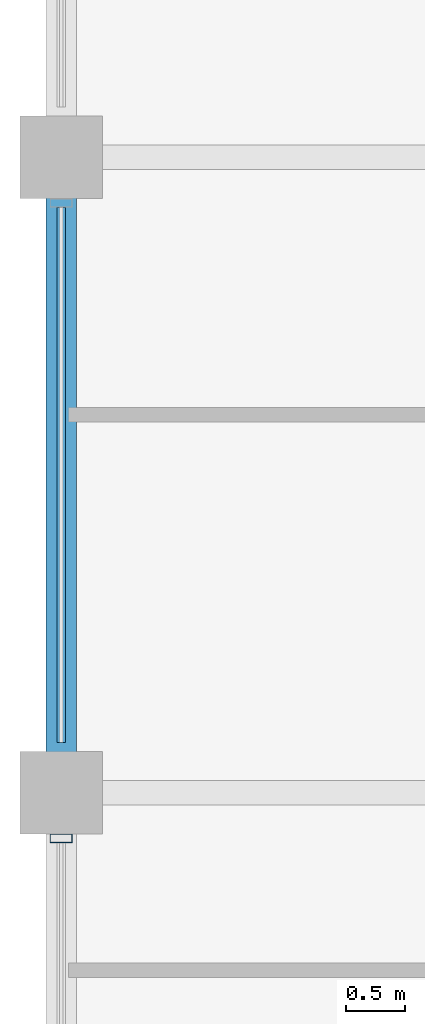
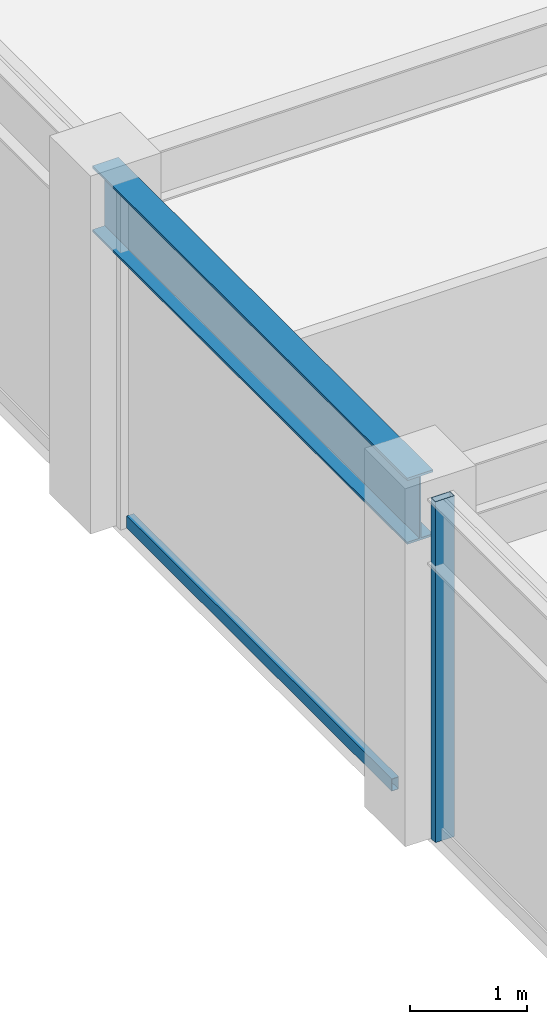
# One storey, part 10 of 31: 2 members, 1 beam, 1 element without a shape of its own.
"""IFC4 building model written with IfcOpenShell, lengths in metres."""

import ifcopenshell
import ifcopenshell.guid

model = None  # the IFC model being written
_history = None  # IfcOwnerHistory: only IFC2X3 demands one
_inside = {}  # id of a spatial element -> (the spatial element, [elements in it])
_under = {}  # id of a project, library or spatial element -> (it, [spatial elements below it])
_declared = {}  # id of a project -> (the project, [libraries it declares])
_typed = {}  # id of a type object -> (the type object, [elements of that type])
_made_of = {}  # id of a material, layer set ... -> (it, [elements and type objects made of it])


def new_model(schema):
    """Start an empty IFC model of exactly this schema.

    Asked for "IFC4X3", IfcOpenShell would pick the latest addendum, in which some entities
    have other attributes; the version numbers below select the first issue.
    IFC2X3 requires an IfcOwnerHistory on every rooted entity: one is made here for all.
    """
    global model, _history
    if schema == "IFC4X3":
        model = ifcopenshell.file(schema_version=(4, 3, 0, 0))
    else:
        model = ifcopenshell.file(schema=schema)
    _inside.clear()
    _under.clear()
    _declared.clear()
    _typed.clear()
    _made_of.clear()
    _history = None
    if model.schema == "IFC2X3":
        org = make("IfcOrganization", Name="unknown")
        user = make(
            "IfcPersonAndOrganization",
            ThePerson=make("IfcPerson", FamilyName="unknown"),
            TheOrganization=org,
        )
        app = make(
            "IfcApplication",
            ApplicationDeveloper=org,
            Version="unknown",
            ApplicationFullName="unknown",
            ApplicationIdentifier="unknown",
        )
        _history = make(
            "IfcOwnerHistory",
            OwningUser=user,
            OwningApplication=app,
            ChangeAction="ADDED",
            CreationDate=0,
        )
    return model


def make(cls, **values):
    """One entity of the class cls with the attributes given. An attribute that is None is left unset."""
    return model.create_entity(
        cls, **{name: value for name, value in values.items() if value is not None}
    )


def rooted(cls, **values):
    """An entity with a GlobalId (a new one), such as an element, a storey or a relation."""
    return make(cls, GlobalId=ifcopenshell.guid.new(), OwnerHistory=_history, **values)


def si_unit(unit_type, name, prefix=None):
    """IfcSIUnit, for example si_unit("LENGTHUNIT", "METRE", prefix="MILLI")."""
    return make("IfcSIUnit", UnitType=unit_type, Prefix=prefix, Name=name)


def assignment(units):
    """IfcUnitAssignment: the units of a project."""
    return None if units is None else make("IfcUnitAssignment", Units=units)


def point(xyz):
    """IfcCartesianPoint."""
    return None if xyz is None else make("IfcCartesianPoint", Coordinates=xyz)


def direction(xyz):
    """IfcDirection."""
    return None if xyz is None else make("IfcDirection", DirectionRatios=xyz)


def frame(location, z_axis=None, x_axis=None):
    """IfcAxis2Placement3D, a coordinate frame: its origin and axes. An axis left out is left unset."""
    return make(
        "IfcAxis2Placement3D",
        Location=point(location),
        Axis=direction(z_axis),
        RefDirection=direction(x_axis),
    )


def frame_2d(location, x_axis=None):
    """IfcAxis2Placement2D, a coordinate frame in the plane: its origin and x axis."""
    return make(
        "IfcAxis2Placement2D", Location=point(location), RefDirection=direction(x_axis)
    )


def origin():
    """The frame at (0, 0, 0) with its axes left unset."""
    return frame((0.0, 0.0, 0.0))


def origin_2d():
    """The frame at (0, 0) in the plane with its x axis left unset."""
    return frame_2d((0.0, 0.0))


def place(relative_to, where):
    """IfcLocalPlacement: puts the frame where relative to a parent placement (None: the world)."""
    return make(
        "IfcLocalPlacement", PlacementRelTo=relative_to, RelativePlacement=where
    )


def context(
    kind, dimensions, precision=None, world=None, true_north=None, identifier=None
):
    """IfcGeometricRepresentationContext, for example the 3D "Model" context."""
    return make(
        "IfcGeometricRepresentationContext",
        ContextIdentifier=identifier,
        ContextType=kind,
        CoordinateSpaceDimension=dimensions,
        Precision=precision,
        WorldCoordinateSystem=world,
        TrueNorth=true_north,
    )


def subcontext(parent, identifier, kind, view, scale=None):
    """IfcGeometricRepresentationSubContext, for example "Body" below "Model"."""
    return make(
        "IfcGeometricRepresentationSubContext",
        ContextIdentifier=identifier,
        ContextType=kind,
        ParentContext=parent,
        TargetScale=scale,
        TargetView=view,
    )


def project(units=None, contexts=None):
    """IfcProject with its units and contexts."""
    return rooted(
        "IfcProject",
        Name="project",
        RepresentationContexts=contexts,
        UnitsInContext=assignment(units),
    )


def spatial(cls, under=None, at=None, **own):
    """A site, building, storey or space (cls), placed at a placement, below another one or the project."""
    s = rooted(cls, ObjectPlacement=at, **own)
    if under is not None:
        _under.setdefault(under.id(), (under, []))[1].append(s)
    return s


def profile(cls, at=None, kind="AREA", **sizes):
    """A parametric profile (cls). Its sizes go by their IFC names, for example OverallWidth=200.0."""
    return make(cls, ProfileType=kind, Position=at, **sizes)


def hollow_rectangle(**sizes):
    """IfcRectangleHollowProfileDef."""
    return profile("IfcRectangleHollowProfileDef", **sizes)


def i_section(**sizes):
    """IfcIShapeProfileDef."""
    return profile("IfcIShapeProfileDef", **sizes)


def extrude(swept, where, along, depth):
    """IfcExtrudedAreaSolid: the profile swept, set in the frame where, extruded along a direction by depth."""
    return make(
        "IfcExtrudedAreaSolid",
        SweptArea=swept,
        Position=where,
        ExtrudedDirection=direction(along),
        Depth=depth,
    )


def shape(context_of_items, identifier, shape_type, items):
    """IfcShapeRepresentation: the items that make up one representation, for example the "Body"."""
    return make(
        "IfcShapeRepresentation",
        ContextOfItems=context_of_items,
        RepresentationIdentifier=identifier,
        RepresentationType=shape_type,
        Items=items,
    )


def material(Name=None, Category=None):
    """IfcMaterial."""
    return make("IfcMaterial", Name=Name, Category=Category)


def layer(
    of_material, thickness, ventilated=None, Name=None, Category=None, Priority=None
):
    """IfcMaterialLayer: one layer of a wall or slab, of a material (None: an air gap)."""
    return make(
        "IfcMaterialLayer",
        Material=of_material,
        LayerThickness=thickness,
        IsVentilated=ventilated,
        Name=Name,
        Category=Category,
        Priority=Priority,
    )


def layer_set(layers, Name=None):
    """IfcMaterialLayerSet."""
    return make("IfcMaterialLayerSet", MaterialLayers=layers, LayerSetName=Name)


def material_profile(
    of_material, cross_section, Name=None, Category=None, Priority=None
):
    """IfcMaterialProfile: a cross section and its material."""
    return make(
        "IfcMaterialProfile",
        Name=Name,
        Material=of_material,
        Profile=cross_section,
        Priority=Priority,
        Category=Category,
    )


def profile_set(profiles, Name=None, composite=None):
    """IfcMaterialProfileSet."""
    return make(
        "IfcMaterialProfileSet",
        Name=Name,
        MaterialProfiles=profiles,
        CompositeProfile=composite,
    )


def made_of(thing, what):
    """Note that an element or type object is made of a material, layer set ...; save() writes the relation."""
    if what is not None:
        _made_of.setdefault(what.id(), (what, []))[1].append(thing)
    return thing


def type_object(cls, material=None, **own):
    """A type object (cls), such as IfcWallType, which elements share."""
    return made_of(rooted(cls, **own), material)


def element(
    cls,
    number,
    at=None,
    inside=None,
    cuts=None,
    type_object=None,
    material=None,
    context=None,
    identifier="Body",
    shape_type=None,
    held_by="IfcProductDefinitionShape",
    body=None,
    shapes=None,
    **own,
):
    """One element of the class cls, such as IfcWall. Its Tag is "e" and its number.

    at: its placement. inside: the storey or other place that contains it. cuts: it is an
    opening in that element (IfcRelVoidsElement). A single representation is given by context,
    identifier, shape_type and body (its items); several are given by shapes. held_by: the class
    of the entity that holds the representations. save() writes the other relations.
    """
    e = rooted(cls, Tag="e%d" % number, ObjectPlacement=at, **own)
    if body is not None:
        shapes = [shape(context, identifier, shape_type, body)]
    if shapes is not None:
        e.Representation = make(held_by, Representations=shapes)
    if inside is not None:
        _inside.setdefault(inside.id(), (inside, []))[1].append(e)
    if cuts is not None:
        rooted(
            "IfcRelVoidsElement", RelatingBuildingElement=cuts, RelatedOpeningElement=e
        )
    if type_object is not None:
        _typed.setdefault(type_object.id(), (type_object, []))[1].append(e)
    return made_of(e, material)


def aggregate(whole, parts):
    """IfcRelAggregates: a whole, such as a stair, and the parts it consists of."""
    return rooted("IfcRelAggregates", RelatingObject=whole, RelatedObjects=parts)


def save(model, path):
    """Write the relations noted so far, then the file.

    IfcRelAggregates (storeys below a building ...), IfcRelContainedInSpatialStructure (elements
    in a storey), IfcRelDefinesByType, IfcRelAssociatesMaterial and IfcRelDeclares: one each for
    every whole, place, type object, material and project.
    """
    for whole, parts in _under.values():
        aggregate(whole, parts)
    for where, things in _inside.values():
        rooted(
            "IfcRelContainedInSpatialStructure",
            RelatedElements=things,
            RelatingStructure=where,
        )
    for kind, things in _typed.values():
        rooted("IfcRelDefinesByType", RelatedObjects=things, RelatingType=kind)
    for what, things in _made_of.values():
        rooted("IfcRelAssociatesMaterial", RelatedObjects=things, RelatingMaterial=what)
    for by, libraries in _declared.values():
        rooted("IfcRelDeclares", RelatingContext=by, RelatedDefinitions=libraries)
    model.write(path)


model = new_model("IFC4")

# Units and contexts
model_context = context("Model", 3, precision=1e-05, world=origin(), true_north=direction((0.0, 1.0)))
body_context = subcontext(model_context, "Body", "Model", "MODEL_VIEW")
ifc_project = project(units=[si_unit("LENGTHUNIT", "METRE"), si_unit("AREAUNIT", "SQUARE_METRE"), si_unit("VOLUMEUNIT", "CUBIC_METRE"), si_unit("PLANEANGLEUNIT", "RADIAN"), si_unit("MASSUNIT", "GRAM", prefix="KILO")], contexts=[model_context])

# Site, building, storey
site_placement = place(None, origin())
site = spatial("IfcSite", under=ifc_project, at=site_placement, CompositionType="ELEMENT")
building_placement = place(site_placement, origin())
building = spatial("IfcBuilding", under=site, at=building_placement, Name="Surkhivell Harbour Commons", CompositionType="ELEMENT")
storey_placement = place(building_placement, frame((0.0, 0.0, 288.75)))
storey = spatial("IfcBuildingStorey", under=building, at=storey_placement, Name="L75", CompositionType="ELEMENT", Elevation=288.75)

# Beam
ifc_material_1 = material(Name="Steel S355", Category="steel")
ifc_material_profile_1 = material_profile(ifc_material_1, i_section(OverallWidth=0.256103515625, OverallDepth=0.693115234375, WebThickness=0.014404296875, FlangeThickness=0.023681640625, at=origin_2d()), Name="UB686x254x170")
ifc_profile_set_1 = profile_set([ifc_material_profile_1], Name="Steel S355")
beam_type = type_object("IfcBeamType", Name="BM-SPN-686", PredefinedType="SPANDREL", material=ifc_profile_set_1)
beam_placement = place(storey_placement, frame((-27.0, 5.39990234375, 3.223388671875), z_axis=(0.0, 1.0, 0.0), x_axis=(-1.0, 0.0, 0.0)))
element("IfcBeam", 1, at=beam_placement, inside=storey, type_object=beam_type, Name="L75 Tube Spandrel (-27.0,5.4)", PredefinedType="SPANDREL", context=body_context, shape_type="SweptSolid", body=[
    extrude(i_section(OverallWidth=0.256103515625, OverallDepth=0.693115234375, WebThickness=0.014404296875, FlangeThickness=0.023681640625, at=origin_2d()), origin(), (0.0, 0.0, 1.0), 5.400146484375),
])

# Curtain wall, members
ifc_material_2 = material(Name="Anodised pale-metal aluminium and insulated glazing", Category="aluminium")
ifc_layer = layer(ifc_material_2, 0.175048828125)
ifc_layer_set = layer_set([ifc_layer], Name="Anodised pale-metal aluminium and insulated glazing")
curtain_wall_type = type_object("IfcCurtainWallType", Name="CW-SYS-Z4", PredefinedType="NOTDEFINED", material=ifc_layer_set)
curtain_wall_placement = place(storey_placement, origin())
curtain_wall = element("IfcCurtainWall", 2, at=curtain_wall_placement, inside=storey, type_object=curtain_wall_type, Name="L75 Curtain Wall CW-L75-E12S1", PredefinedType="NOTDEFINED")
ifc_material_3 = material(Name="Anodised pale-metal aluminium alloy 6063-T6", Category="aluminium")
ifc_material_profile_2 = material_profile(ifc_material_3, hollow_rectangle(XDim=0.074951171875, YDim=0.18994140625, WallThickness=0.00390625, at=origin_2d()), Name="ALU-MULL-75x190")
ifc_profile_set_2 = profile_set([ifc_material_profile_2], Name="Anodised pale-metal aluminium alloy 6063-T6")
member_type_1 = type_object("IfcMemberType", Name="CWM-190", PredefinedType="MULLION", material=ifc_profile_set_2)
member_1_placement = place(storey_placement, frame((-27.0, 5.010498046875, 0.0), z_axis=(0.0, 0.0, 1.0), x_axis=(0.0, -1.0, 0.0)))
member_1 = element("IfcMember", 3, at=member_1_placement, type_object=member_type_1, Name="CW-Z4 mullion 4", PredefinedType="MULLION", context=body_context, shape_type="SweptSolid", body=[
    extrude(hollow_rectangle(XDim=0.074951171875, YDim=0.18994140625, WallThickness=0.00390625, at=origin_2d()), origin(), (0.0, 0.0, 1.0), 3.570068359375),
])
ifc_material_4 = material(Name="Champagne anodised aluminium alloy 6063-T6", Category="aluminium")
ifc_material_profile_3 = material_profile(ifc_material_4, hollow_rectangle(XDim=0.070068359375, YDim=0.1298828125, WallThickness=0.00341796875, at=origin_2d()), Name="ALU-TRAN-70x130")
ifc_profile_set_3 = profile_set([ifc_material_profile_3], Name="Champagne anodised aluminium alloy 6063-T6")
member_type_2 = type_object("IfcMemberType", Name="CWT-130", PredefinedType="USERDEFINED", material=ifc_profile_set_3)
member_2_placement = place(storey_placement, frame((-27.0, 10.373046875, 0.06494140625), z_axis=(0.0, -1.0, 0.0), x_axis=(1.0, 0.0, 0.0)))
member_2 = element("IfcMember", 4, at=member_2_placement, type_object=member_type_2, Name="CW-Z4 transom 3.1", ObjectType="TRANSOM", PredefinedType="USERDEFINED", context=body_context, shape_type="SweptSolid", body=[
    extrude(hollow_rectangle(XDim=0.070068359375, YDim=0.1298828125, WallThickness=0.00341796875, at=origin_2d()), origin(), (0.0, 0.0, 1.0), 4.546142578125),
])
aggregate(curtain_wall, [member_2, member_1])

save(model, "model.ifc")
